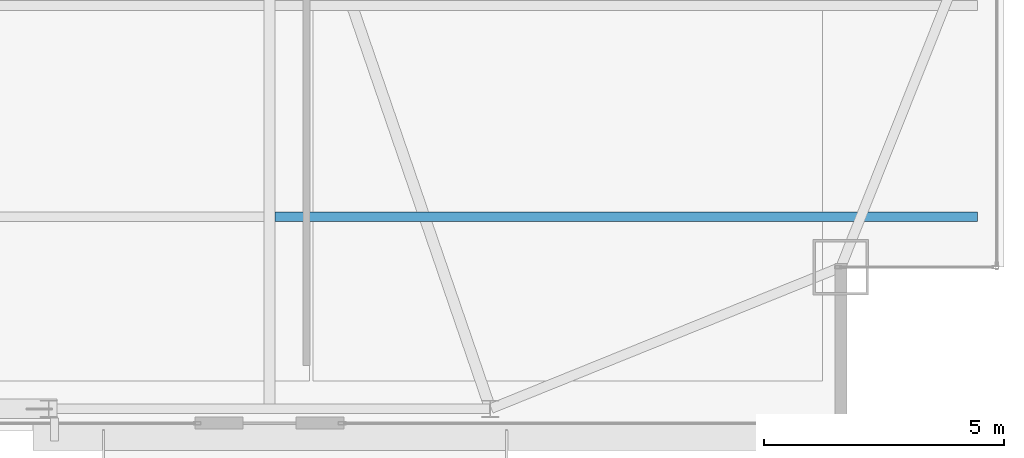
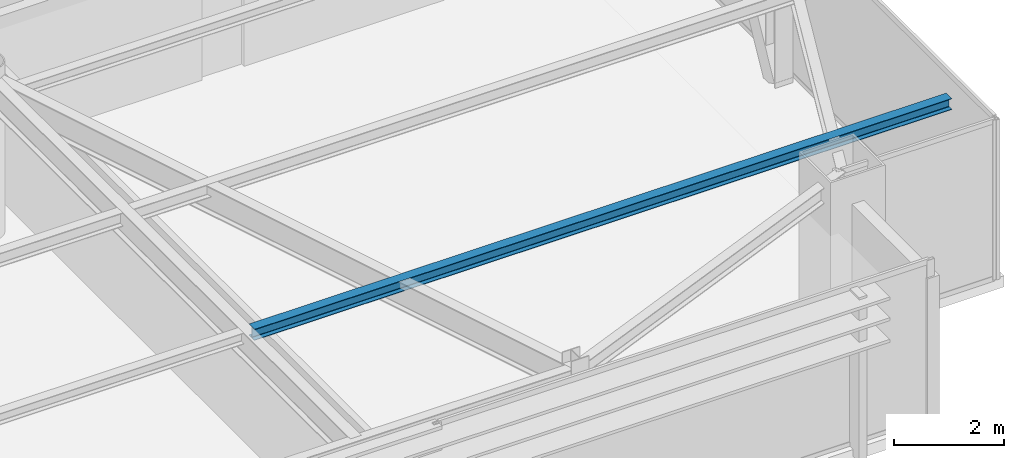
# One storey, part 14 of 31: 1 beam.
"""IFC4 building model written with IfcOpenShell, lengths in metres."""

from ifc_helpers import new_model, si_unit, direction, frame, origin, origin_2d, place, context, subcontext, project, spatial, i_section, extrude, source, transform, mapped, material, material_profile, profile_set, type_object, type_shapes, element, save


model = new_model("IFC4")

# Units and contexts
model_context = context("Model", 3, precision=1e-05, world=origin(), true_north=direction((0.0, 1.0)))
body_context = subcontext(model_context, "Body", "Model", "MODEL_VIEW")
ifc_project = project(units=[si_unit("LENGTHUNIT", "METRE"), si_unit("AREAUNIT", "SQUARE_METRE"), si_unit("VOLUMEUNIT", "CUBIC_METRE"), si_unit("PLANEANGLEUNIT", "RADIAN"), si_unit("MASSUNIT", "GRAM", prefix="KILO")], contexts=[model_context])

# Site, building, storey
site_placement = place(None, origin())
site = spatial("IfcSite", under=ifc_project, at=site_placement, CompositionType="ELEMENT")
building_placement = place(site_placement, origin())
building = spatial("IfcBuilding", under=site, at=building_placement, Name="Varnel Quay Broadcast Tower", CompositionType="ELEMENT")
storey_placement = place(building_placement, frame((0.0, 0.0, 239.39990234375)))
storey = spatial("IfcBuildingStorey", under=building, at=storey_placement, Name="L59", CompositionType="ELEMENT", Elevation=239.39990234375)

# Beam
ifc_material = material(Name="Structural Steel CSA G40.21 350W", Category="steel")
ifc_material_profile = material_profile(ifc_material, i_section(OverallWidth=0.201904296875, OverallDepth=0.2470703125, WebThickness=0.00732421875, FlangeThickness=0.010986328125, FilletRadius=0.010986328125, at=origin_2d()), Name="W250X49")
ifc_profile_set = profile_set([ifc_material_profile], Name="Structural Steel CSA G40.21 350W")
beam_type = type_object("IfcBeamType", Name="Beam_W250X49", PredefinedType="JOIST", material=ifc_profile_set)
shared_shape = source(origin(), body_context, "Body", "SweptSolid", [
    extrude(i_section(OverallWidth=0.201904296875, OverallDepth=0.2470703125, WebThickness=0.00732421875, FlangeThickness=0.010986328125, FilletRadius=0.010986328125, at=origin_2d()), origin(), (0.0, 0.0, 1.0), 14.642333984375),
])
type_shapes(beam_type, [shared_shape])
beam_placement = place(storey_placement, frame((43.31005859375, 14.64990234375, 3.426513671875), z_axis=(1.0, 0.0, 0.0), x_axis=(0.0, 1.0, 0.0)))
element("IfcBeam", 1, at=beam_placement, inside=storey, type_object=beam_type, Name="L59 East Floor Joist 1", PredefinedType="JOIST", context=body_context, shape_type="MappedRepresentation", body=[
    mapped(shared_shape, transform((0.0, 0.0, 0.0), x_axis=(1.0, 0.0, 0.0), y_axis=(0.0, 1.0, 0.0), z_axis=(0.0, 0.0, 1.0), scale=1.0)),
])

save(model, "model.ifc")
